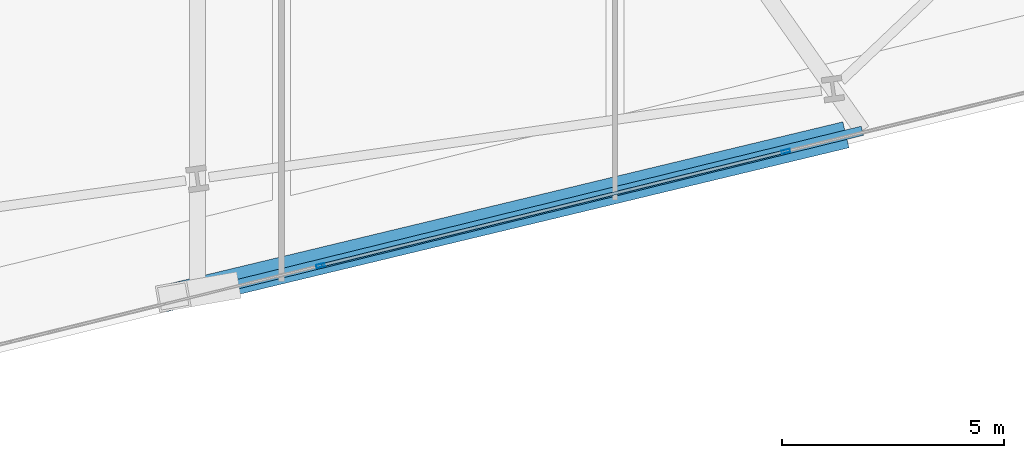
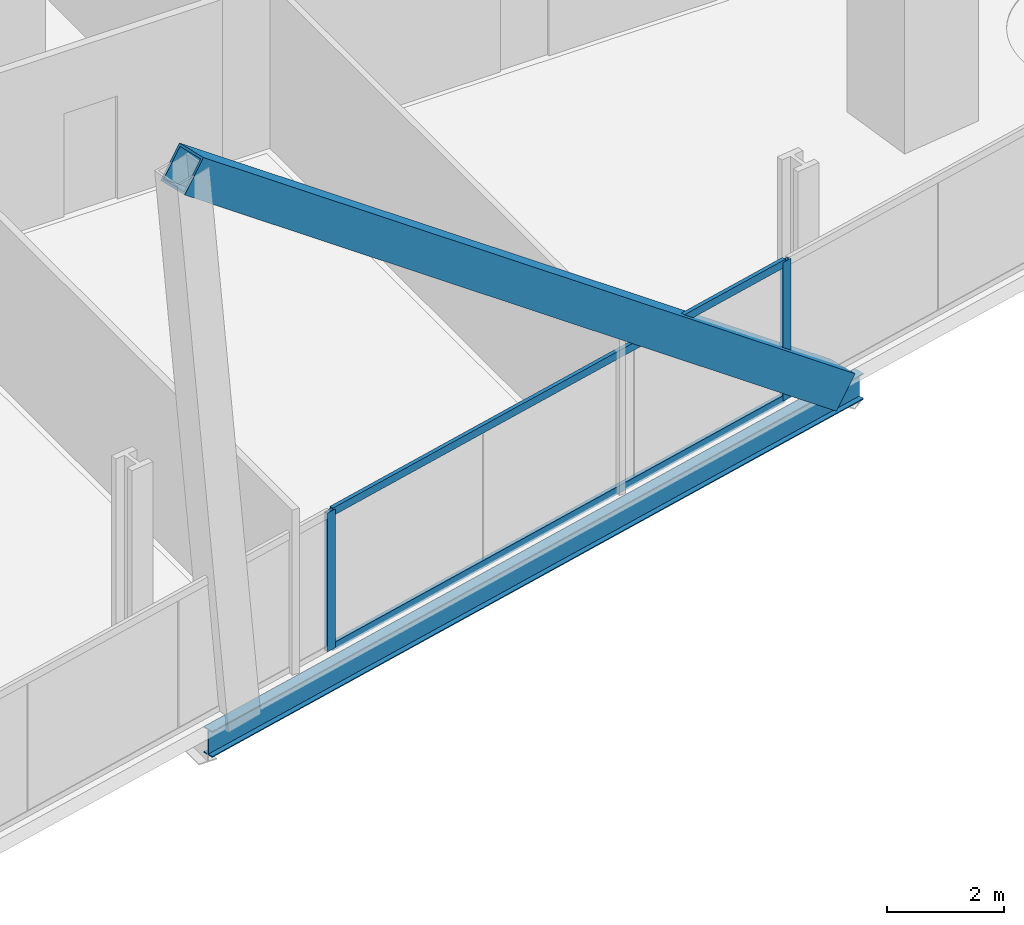
# One storey, part 7 of 32: 5 members, 1 beam, 1 element without a shape of its own.
"""IFC4 building model written with IfcOpenShell, lengths in metres."""

from ifc_helpers import new_model, si_unit, direction, frame, origin, origin_2d, place, context, subcontext, project, spatial, hollow_rectangle, i_section, extrude, material, material_profile, profile_set, type_object, element, aggregate, save


model = new_model("IFC4")

# Units and contexts
model_context = context("Model", 3, precision=1e-05, world=origin(), true_north=direction((0.0, 1.0)))
body_context = subcontext(model_context, "Body", "Model", "MODEL_VIEW")
ifc_project = project(units=[si_unit("LENGTHUNIT", "METRE"), si_unit("AREAUNIT", "SQUARE_METRE"), si_unit("VOLUMEUNIT", "CUBIC_METRE"), si_unit("PLANEANGLEUNIT", "RADIAN"), si_unit("MASSUNIT", "GRAM", prefix="KILO")], contexts=[model_context])

# Site, building, storey
site_placement = place(None, origin())
site = spatial("IfcSite", under=ifc_project, at=site_placement, CompositionType="ELEMENT")
building_placement = place(site_placement, origin())
building = spatial("IfcBuilding", under=site, at=building_placement, Name="Haldenkirk Collegiate Tower", CompositionType="ELEMENT")
storey_placement = place(building_placement, frame((0.0, 0.0, 73.949951171875)))
storey = spatial("IfcBuildingStorey", under=building, at=storey_placement, Name="L17", CompositionType="ELEMENT", Elevation=73.949951171875)

# Beam
ifc_material_1 = material(Name="Steel ASTM A992 Grade 50", Category="steel")
ifc_material_profile_1 = material_profile(ifc_material_1, i_section(OverallWidth=0.2119140625, OverallDepth=0.5439453125, WebThickness=0.01318359375, FlangeThickness=0.021240234375, at=origin_2d()), Name="W21X83")
ifc_profile_set_1 = profile_set([ifc_material_profile_1], Name="Steel ASTM A992 Grade 50")
beam_type = type_object("IfcBeamType", Name="BM-SPANDREL-W21X83", PredefinedType="SPANDREL", material=ifc_profile_set_1)
beam_placement = place(storey_placement, frame((39.10888671875, 1.42724609375, -0.58203125), z_axis=(0.971134038256, 0.238534441415, 0.0), x_axis=(-0.238534441415, 0.971134038256, 0.0)))
element("IfcBeam", 1, at=beam_placement, inside=storey, type_object=beam_type, Name="L17 outer facade edge beam 1", PredefinedType="SPANDREL", context=body_context, shape_type="SweptSolid", body=[
    extrude(i_section(OverallWidth=0.2119140625, OverallDepth=0.5439453125, WebThickness=0.01318359375, FlangeThickness=0.021240234375, at=origin_2d()), origin(), (0.0, 0.0, 1.0), 15.398681640625),
])

# Curtain wall, members
ifc_material_2 = material(Name="Anodised architectural bronze aluminium", Category="aluminium")
curtain_wall_type = type_object("IfcCurtainWallType", Name="CW-SYS2-CONCAVE", PredefinedType="USERDEFINED", material=ifc_material_2)
curtain_wall_placement = place(storey_placement, origin())
curtain_wall = element("IfcCurtainWall", 2, at=curtain_wall_placement, inside=storey, type_object=curtain_wall_type, Name="L17 South concave recessed bronze-anodised curtain wall", ObjectType="UNITISED CURTAIN WALL", PredefinedType="USERDEFINED")
ifc_material_profile_2 = material_profile(ifc_material_2, hollow_rectangle(XDim=0.074951171875, YDim=0.18994140625, WallThickness=0.0048828125, at=origin_2d()), Name="CW-MUL-02")
ifc_profile_set_2 = profile_set([ifc_material_profile_2], Name="Anodised architectural bronze aluminium")
member_type_1 = type_object("IfcMemberType", Name="CW-MUL-02", PredefinedType="MULLION", material=ifc_profile_set_2)
member_1_placement = place(storey_placement, frame((52.3427734375, 4.63671875, 0.0), z_axis=(0.0, 0.0, 1.0), x_axis=(0.238533027316, -0.971134385592, 0.0)))
member_1 = element("IfcMember", 3, at=member_1_placement, type_object=member_type_1, Name="CW-02 mullion 2", PredefinedType="MULLION", context=body_context, shape_type="SweptSolid", body=[
    extrude(hollow_rectangle(XDim=0.074951171875, YDim=0.18994140625, WallThickness=0.0048828125, at=origin_2d()), origin(), (0.0, 0.0, 1.0), 2.89111328125),
])
member_2_placement = place(storey_placement, frame((41.878662109375, 2.06640625, 0.0), z_axis=(0.0, 0.0, 1.0), x_axis=(0.238533027316, -0.971134385592, 0.0)))
member_2 = element("IfcMember", 4, at=member_2_placement, type_object=member_type_1, Name="CW-02 mullion 3", PredefinedType="MULLION", context=body_context, shape_type="SweptSolid", body=[
    extrude(hollow_rectangle(XDim=0.074951171875, YDim=0.18994140625, WallThickness=0.0048828125, at=origin_2d()), origin(), (0.0, 0.0, 1.0), 2.89111328125),
])
ifc_material_profile_3 = material_profile(ifc_material_2, hollow_rectangle(XDim=0.074951171875, YDim=0.159912109375, WallThickness=0.0048828125, at=origin_2d()), Name="CW-TRN-02")
ifc_profile_set_3 = profile_set([ifc_material_profile_3], Name="Anodised architectural bronze aluminium")
member_type_2 = type_object("IfcMemberType", Name="CW-TRN-02", PredefinedType="USERDEFINED", material=ifc_profile_set_3)
member_3_placement = place(storey_placement, frame((52.306396484375, 4.627685546875, 0.03759765625), z_axis=(-0.971136793157, -0.238523225235, 0.0), x_axis=(0.238523225235, -0.971136793157, 0.0)))
member_3 = element("IfcMember", 5, at=member_3_placement, type_object=member_type_2, Name="CW-02 transom 2.1", ObjectType="TRANSOM", PredefinedType="USERDEFINED", context=body_context, shape_type="SweptSolid", body=[
    extrude(hollow_rectangle(XDim=0.074951171875, YDim=0.159912109375, WallThickness=0.0048828125, at=origin_2d()), origin(), (0.0, 0.0, 1.0), 10.7001953125),
])
member_4_placement = place(storey_placement, frame((52.306396484375, 4.627685546875, 2.853515625), z_axis=(-0.971136793157, -0.238523225235, 0.0), x_axis=(0.238523225235, -0.971136793157, 0.0)))
member_4 = element("IfcMember", 6, at=member_4_placement, type_object=member_type_2, Name="CW-02 transom 2.2", ObjectType="TRANSOM", PredefinedType="USERDEFINED", context=body_context, shape_type="SweptSolid", body=[
    extrude(hollow_rectangle(XDim=0.074951171875, YDim=0.159912109375, WallThickness=0.0048828125, at=origin_2d()), origin(), (0.0, 0.0, 1.0), 10.7001953125),
])
aggregate(curtain_wall, [member_1, member_2, member_3, member_4])

# Member
ifc_material_3 = material(Name="Steel ASTM A572 Grade 50", Category="steel")
ifc_material_profile_4 = material_profile(ifc_material_3, hollow_rectangle(XDim=0.60009765625, YDim=0.719970703125, WallThickness=0.044921875, at=origin_2d()), Name="BOX720X600X45")
ifc_profile_set_4 = profile_set([ifc_material_profile_4], Name="Steel ASTM A572 Grade 50")
member_type_3 = type_object("IfcMemberType", Name="MBR-MEGABRACE-BOX720X600X45", PredefinedType="BRACE", material=ifc_profile_set_4)
member_5_placement = place(storey_placement, frame((53.480224609375, 4.957275390625, -0.320068359375), z_axis=(-0.76822773467, -0.184612086579, 0.612980036521), x_axis=(0.23365708321, -0.972319066699, 0.0)))
element("IfcMember", 7, at=member_5_placement, inside=storey, type_object=member_type_3, Name="Perimeter Mega Brace Z1 L17-L19 SR", PredefinedType="BRACE", context=body_context, shape_type="SweptSolid", body=[
    extrude(hollow_rectangle(XDim=0.60009765625, YDim=0.719970703125, WallThickness=0.044921875, at=origin_2d()), origin(), (0.0, 0.0, 1.0), 19.41357421875),
])

save(model, "model.ifc")
